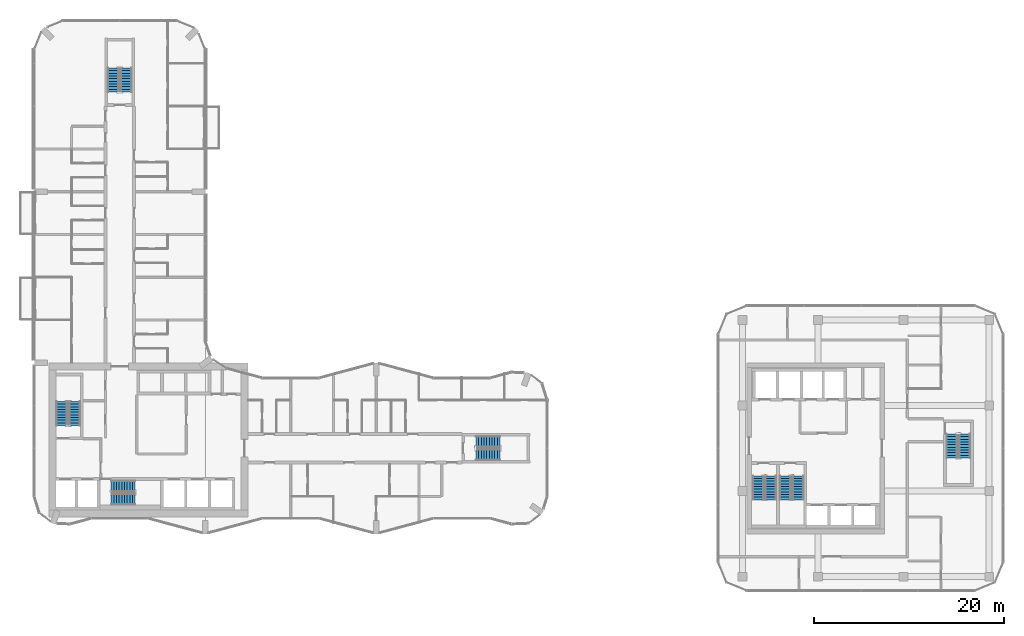
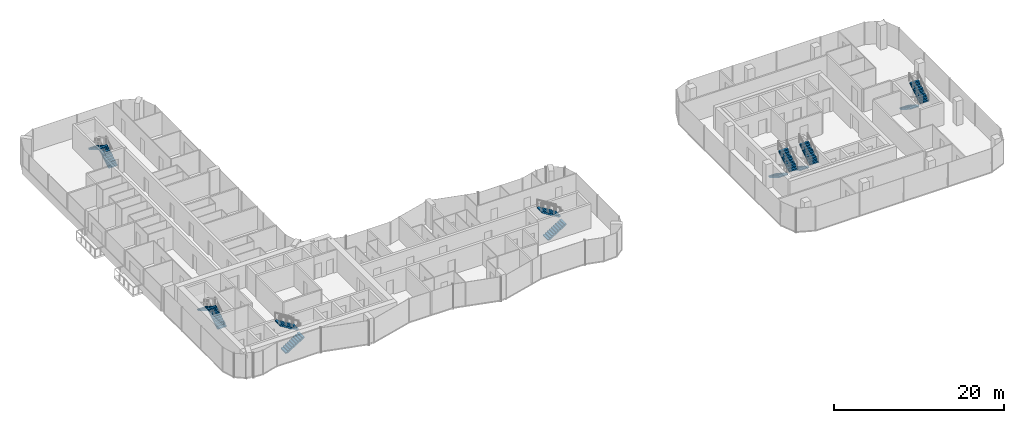
# One storey, part 21 of 24: 14 stair flights, 7 elements without a shape of their own.
"""IFC4 building model written with IfcOpenShell, lengths in metres."""

from ifc_helpers import new_model, si_unit, direction, frame, origin, place, context, subcontext, project, spatial, polyline, outline, extrude, material, type_object, element, aggregate, save


model = new_model("IFC4")

# Units and contexts
model_context = context("Model", 3, precision=1e-05, world=origin(), true_north=direction((0.0, 1.0)))
body_context = subcontext(model_context, "Body", "Model", "MODEL_VIEW")
ifc_project = project(units=[si_unit("LENGTHUNIT", "METRE"), si_unit("AREAUNIT", "SQUARE_METRE"), si_unit("VOLUMEUNIT", "CUBIC_METRE"), si_unit("PLANEANGLEUNIT", "RADIAN"), si_unit("MASSUNIT", "GRAM", prefix="KILO")], contexts=[model_context])

# Site, building, storey
site_placement = place(None, origin())
site = spatial("IfcSite", under=ifc_project, at=site_placement, CompositionType="ELEMENT")
building_placement = place(site_placement, origin())
building = spatial("IfcBuilding", under=site, at=building_placement, Name="Plateau Cross Towers", CompositionType="ELEMENT")
storey_placement = place(building_placement, frame((0.0, 0.0, 47.800048828125)))
storey = spatial("IfcBuildingStorey", under=building, at=storey_placement, Name="L11", CompositionType="ELEMENT", Elevation=47.800048828125)

# Stair, stair flights
ifc_material = material(Name="Concrete C40/50", Category="concrete")
stair_type = type_object("IfcStairType", Name="ST-TWR", PredefinedType="HALF_TURN_STAIR", material=ifc_material)
stair_1_placement = place(storey_placement, origin())
stair_1 = element("IfcStair", 1, at=stair_1_placement, inside=storey, type_object=stair_type, Name="L11 Protected Exit Stair ST-1", PredefinedType="HALF_TURN_STAIR")
stair_flight_type = type_object("IfcStairFlightType", Name="SFL-RC", PredefinedType="STRAIGHT", material=ifc_material)
stair_flight_1_placement = place(storey_placement, frame((4.25, 11.39990234375, 0.0), z_axis=(0.0, 0.0, 1.0), x_axis=(0.0, 1.0, 0.0)))
stair_flight_1 = element("IfcStairFlight", 2, at=stair_flight_1_placement, type_object=stair_flight_type, Name="ST-1 flight 1", NumberOfRisers=10, NumberOfTreads=9, PredefinedType="STRAIGHT", RiserHeight=0.175, TreadLength=0.28, context=body_context, shape_type="SweptSolid", body=[
    extrude(outline(polyline([(-0.0048828125, -0.010009765625), (-0.0048828125, 0.0), (0.0, 0.0), (0.0, 0.175048828125), (0.280029296875, 0.175048828125), (0.280029296875, 0.35009765625), (0.56005859375, 0.35009765625), (0.56005859375, 0.52490234375), (0.840087890625, 0.52490234375), (0.840087890625, 0.699951171875), (1.1201171875, 0.699951171875), (1.1201171875, 0.875), (1.39990234375, 0.875), (1.39990234375, 1.050048828125), (1.679931640625, 1.050048828125), (1.679931640625, 1.22509765625), (1.9599609375, 1.22509765625), (1.9599609375, 1.39990234375), (2.239990234375, 1.39990234375), (2.239990234375, 1.574951171875), (2.52001953125, 1.574951171875), (2.52490234375, 1.56494140625), (2.52490234375, 1.398193359375), (2.52001953125, 1.398193359375), (0.28271484375, 0.0), (0.02001953125, 0.0), (0.02001953125, -0.010009765625), (-0.0048828125, -0.010009765625)])), frame((0.0, 0.60009765625, 0.0), z_axis=(0.0, -1.0, 0.0), x_axis=(1.0, 0.0, 0.0)), (0.0, 0.0, 1.0), 1.199951171875),
])
stair_flight_2_placement = place(storey_placement, frame((2.89990234375, 13.919921875, 1.75), z_axis=(0.0, 0.0, 1.0), x_axis=(0.0, -1.0, 0.0)))
stair_flight_2 = element("IfcStairFlight", 3, at=stair_flight_2_placement, type_object=stair_flight_type, Name="ST-1 flight 2", NumberOfRisers=10, NumberOfTreads=9, PredefinedType="STRAIGHT", RiserHeight=0.175, TreadLength=0.28, context=body_context, shape_type="SweptSolid", body=[
    extrude(outline(polyline([(-0.0048828125, -0.010009765625), (-0.0048828125, 0.0), (0.0, 0.0), (0.0, 0.175048828125), (0.280029296875, 0.175048828125), (0.280029296875, 0.35009765625), (0.56005859375, 0.35009765625), (0.56005859375, 0.52490234375), (0.840087890625, 0.52490234375), (0.840087890625, 0.699951171875), (1.1201171875, 0.699951171875), (1.1201171875, 0.875), (1.39990234375, 0.875), (1.39990234375, 1.050048828125), (1.679931640625, 1.050048828125), (1.679931640625, 1.22509765625), (1.9599609375, 1.22509765625), (1.9599609375, 1.39990234375), (2.239990234375, 1.39990234375), (2.239990234375, 1.574951171875), (2.52001953125, 1.574951171875), (2.52490234375, 1.56494140625), (2.52490234375, 1.398193359375), (2.52001953125, 1.398193359375), (0.28271484375, 0.0), (0.02001953125, 0.0), (0.02001953125, -0.010009765625), (-0.0048828125, -0.010009765625)])), frame((0.0, 0.60009765625, 0.0), z_axis=(0.0, -1.0, 0.0), x_axis=(1.0, 0.0, 0.0)), (0.0, 0.0, 1.0), 1.199951171875),
])
aggregate(stair_1, [stair_flight_1, stair_flight_2])

stair_2_placement = place(storey_placement, origin())
stair_2 = element("IfcStair", 4, at=stair_2_placement, inside=storey, type_object=stair_type, Name="L11 Protected Exit Stair ST-2", PredefinedType="HALF_TURN_STAIR")
stair_flight_3_placement = place(storey_placement, frame((8.10009765625, 3.64990234375, 0.0), z_axis=(0.0, 0.0, 1.0), x_axis=(1.0, 0.0, 0.0)))
stair_flight_3 = element("IfcStairFlight", 5, at=stair_flight_3_placement, type_object=stair_flight_type, Name="ST-2 flight 1", NumberOfRisers=10, NumberOfTreads=9, PredefinedType="STRAIGHT", RiserHeight=0.175, TreadLength=0.28, context=body_context, shape_type="SweptSolid", body=[
    extrude(outline(polyline([(-0.0048828125, -0.010009765625), (-0.0048828125, 0.0), (0.0, 0.0), (0.0, 0.175048828125), (0.280029296875, 0.175048828125), (0.280029296875, 0.35009765625), (0.56005859375, 0.35009765625), (0.56005859375, 0.52490234375), (0.840087890625, 0.52490234375), (0.840087890625, 0.699951171875), (1.1201171875, 0.699951171875), (1.1201171875, 0.875), (1.39990234375, 0.875), (1.39990234375, 1.050048828125), (1.679931640625, 1.050048828125), (1.679931640625, 1.22509765625), (1.9599609375, 1.22509765625), (1.9599609375, 1.39990234375), (2.239990234375, 1.39990234375), (2.239990234375, 1.574951171875), (2.52001953125, 1.574951171875), (2.52490234375, 1.56494140625), (2.52490234375, 1.398193359375), (2.52001953125, 1.398193359375), (0.28271484375, 0.0), (0.02001953125, 0.0), (0.02001953125, -0.010009765625), (-0.0048828125, -0.010009765625)])), frame((0.0, 0.60009765625, 0.0), z_axis=(0.0, -1.0, 0.0), x_axis=(1.0, 0.0, 0.0)), (0.0, 0.0, 1.0), 1.199951171875),
])
stair_flight_4_placement = place(storey_placement, frame((10.6201171875, 5.0, 1.75), z_axis=(0.0, 0.0, 1.0), x_axis=(-1.0, 0.0, 0.0)))
stair_flight_4 = element("IfcStairFlight", 6, at=stair_flight_4_placement, type_object=stair_flight_type, Name="ST-2 flight 2", NumberOfRisers=10, NumberOfTreads=9, PredefinedType="STRAIGHT", RiserHeight=0.175, TreadLength=0.28, context=body_context, shape_type="SweptSolid", body=[
    extrude(outline(polyline([(-0.0048828125, -0.010009765625), (-0.0048828125, 0.0), (0.0, 0.0), (0.0, 0.175048828125), (0.280029296875, 0.175048828125), (0.280029296875, 0.35009765625), (0.56005859375, 0.35009765625), (0.56005859375, 0.52490234375), (0.840087890625, 0.52490234375), (0.840087890625, 0.699951171875), (1.1201171875, 0.699951171875), (1.1201171875, 0.875), (1.39990234375, 0.875), (1.39990234375, 1.050048828125), (1.679931640625, 1.050048828125), (1.679931640625, 1.22509765625), (1.9599609375, 1.22509765625), (1.9599609375, 1.39990234375), (2.239990234375, 1.39990234375), (2.239990234375, 1.574951171875), (2.52001953125, 1.574951171875), (2.52490234375, 1.56494140625), (2.52490234375, 1.398193359375), (2.52001953125, 1.398193359375), (0.28271484375, 0.0), (0.02001953125, 0.0), (0.02001953125, -0.010009765625), (-0.0048828125, -0.010009765625)])), frame((0.0, 0.60009765625, 0.0), z_axis=(0.0, -1.0, 0.0), x_axis=(1.0, 0.0, 0.0)), (0.0, 0.0, 1.0), 1.199951171875),
])
aggregate(stair_2, [stair_flight_3, stair_flight_4])

stair_3_placement = place(storey_placement, origin())
stair_3 = element("IfcStair", 7, at=stair_3_placement, inside=storey, type_object=stair_type, Name="L11 Protected Exit Stair SB-1", PredefinedType="HALF_TURN_STAIR")
stair_flight_5_placement = place(storey_placement, frame((76.199951171875, 6.10009765625, 0.0), z_axis=(0.0, 0.0, 1.0), x_axis=(0.0, -1.0, 0.0)))
stair_flight_5 = element("IfcStairFlight", 8, at=stair_flight_5_placement, type_object=stair_flight_type, Name="SB-1 flight 1", NumberOfRisers=10, NumberOfTreads=9, PredefinedType="STRAIGHT", RiserHeight=0.175, TreadLength=0.28, context=body_context, shape_type="SweptSolid", body=[
    extrude(outline(polyline([(-0.0048828125, -0.010009765625), (-0.0048828125, 0.0), (0.0, 0.0), (0.0, 0.175048828125), (0.280029296875, 0.175048828125), (0.280029296875, 0.35009765625), (0.56005859375, 0.35009765625), (0.56005859375, 0.52490234375), (0.840087890625, 0.52490234375), (0.840087890625, 0.699951171875), (1.1201171875, 0.699951171875), (1.1201171875, 0.875), (1.39990234375, 0.875), (1.39990234375, 1.050048828125), (1.679931640625, 1.050048828125), (1.679931640625, 1.22509765625), (1.9599609375, 1.22509765625), (1.9599609375, 1.39990234375), (2.239990234375, 1.39990234375), (2.239990234375, 1.574951171875), (2.52001953125, 1.574951171875), (2.52490234375, 1.56494140625), (2.52490234375, 1.398193359375), (2.52001953125, 1.398193359375), (0.28271484375, 0.0), (0.02001953125, 0.0), (0.02001953125, -0.010009765625), (-0.0048828125, -0.010009765625)])), frame((0.0, 0.60009765625, 0.0), z_axis=(0.0, -1.0, 0.0), x_axis=(1.0, 0.0, 0.0)), (0.0, 0.0, 1.0), 1.199951171875),
])
stair_flight_6_placement = place(storey_placement, frame((77.550048828125, 3.580078125, 1.75), z_axis=(0.0, 0.0, 1.0), x_axis=(0.0, 1.0, 0.0)))
stair_flight_6 = element("IfcStairFlight", 9, at=stair_flight_6_placement, type_object=stair_flight_type, Name="SB-1 flight 2", NumberOfRisers=10, NumberOfTreads=9, PredefinedType="STRAIGHT", RiserHeight=0.175, TreadLength=0.28, context=body_context, shape_type="SweptSolid", body=[
    extrude(outline(polyline([(-0.0048828125, -0.010009765625), (-0.0048828125, 0.0), (0.0, 0.0), (0.0, 0.175048828125), (0.280029296875, 0.175048828125), (0.280029296875, 0.35009765625), (0.56005859375, 0.35009765625), (0.56005859375, 0.52490234375), (0.840087890625, 0.52490234375), (0.840087890625, 0.699951171875), (1.1201171875, 0.699951171875), (1.1201171875, 0.875), (1.39990234375, 0.875), (1.39990234375, 1.050048828125), (1.679931640625, 1.050048828125), (1.679931640625, 1.22509765625), (1.9599609375, 1.22509765625), (1.9599609375, 1.39990234375), (2.239990234375, 1.39990234375), (2.239990234375, 1.574951171875), (2.52001953125, 1.574951171875), (2.52490234375, 1.56494140625), (2.52490234375, 1.398193359375), (2.52001953125, 1.398193359375), (0.28271484375, 0.0), (0.02001953125, 0.0), (0.02001953125, -0.010009765625), (-0.0048828125, -0.010009765625)])), frame((0.0, 0.60009765625, 0.0), z_axis=(0.0, -1.0, 0.0), x_axis=(1.0, 0.0, 0.0)), (0.0, 0.0, 1.0), 1.199951171875),
])
aggregate(stair_3, [stair_flight_5, stair_flight_6])

stair_4_placement = place(storey_placement, origin())
stair_4 = element("IfcStair", 10, at=stair_4_placement, inside=storey, type_object=stair_type, Name="L11 Protected Exit Stair SB-2", PredefinedType="HALF_TURN_STAIR")
stair_flight_7_placement = place(storey_placement, frame((79.050048828125, 6.10009765625, 0.0), z_axis=(0.0, 0.0, 1.0), x_axis=(0.0, -1.0, 0.0)))
stair_flight_7 = element("IfcStairFlight", 11, at=stair_flight_7_placement, type_object=stair_flight_type, Name="SB-2 flight 1", NumberOfRisers=10, NumberOfTreads=9, PredefinedType="STRAIGHT", RiserHeight=0.175, TreadLength=0.28, context=body_context, shape_type="SweptSolid", body=[
    extrude(outline(polyline([(-0.0048828125, -0.010009765625), (-0.0048828125, 0.0), (0.0, 0.0), (0.0, 0.175048828125), (0.280029296875, 0.175048828125), (0.280029296875, 0.35009765625), (0.56005859375, 0.35009765625), (0.56005859375, 0.52490234375), (0.840087890625, 0.52490234375), (0.840087890625, 0.699951171875), (1.1201171875, 0.699951171875), (1.1201171875, 0.875), (1.39990234375, 0.875), (1.39990234375, 1.050048828125), (1.679931640625, 1.050048828125), (1.679931640625, 1.22509765625), (1.9599609375, 1.22509765625), (1.9599609375, 1.39990234375), (2.239990234375, 1.39990234375), (2.239990234375, 1.574951171875), (2.52001953125, 1.574951171875), (2.52490234375, 1.56494140625), (2.52490234375, 1.398193359375), (2.52001953125, 1.398193359375), (0.28271484375, 0.0), (0.02001953125, 0.0), (0.02001953125, -0.010009765625), (-0.0048828125, -0.010009765625)])), frame((0.0, 0.60009765625, 0.0), z_axis=(0.0, -1.0, 0.0), x_axis=(1.0, 0.0, 0.0)), (0.0, 0.0, 1.0), 1.199951171875),
])
stair_flight_8_placement = place(storey_placement, frame((80.39990234375, 3.580078125, 1.75), z_axis=(0.0, 0.0, 1.0), x_axis=(0.0, 1.0, 0.0)))
stair_flight_8 = element("IfcStairFlight", 12, at=stair_flight_8_placement, type_object=stair_flight_type, Name="SB-2 flight 2", NumberOfRisers=10, NumberOfTreads=9, PredefinedType="STRAIGHT", RiserHeight=0.175, TreadLength=0.28, context=body_context, shape_type="SweptSolid", body=[
    extrude(outline(polyline([(-0.0048828125, -0.010009765625), (-0.0048828125, 0.0), (0.0, 0.0), (0.0, 0.175048828125), (0.280029296875, 0.175048828125), (0.280029296875, 0.35009765625), (0.56005859375, 0.35009765625), (0.56005859375, 0.52490234375), (0.840087890625, 0.52490234375), (0.840087890625, 0.699951171875), (1.1201171875, 0.699951171875), (1.1201171875, 0.875), (1.39990234375, 0.875), (1.39990234375, 1.050048828125), (1.679931640625, 1.050048828125), (1.679931640625, 1.22509765625), (1.9599609375, 1.22509765625), (1.9599609375, 1.39990234375), (2.239990234375, 1.39990234375), (2.239990234375, 1.574951171875), (2.52001953125, 1.574951171875), (2.52490234375, 1.56494140625), (2.52490234375, 1.398193359375), (2.52001953125, 1.398193359375), (0.28271484375, 0.0), (0.02001953125, 0.0), (0.02001953125, -0.010009765625), (-0.0048828125, -0.010009765625)])), frame((0.0, 0.60009765625, 0.0), z_axis=(0.0, -1.0, 0.0), x_axis=(1.0, 0.0, 0.0)), (0.0, 0.0, 1.0), 1.199951171875),
])
aggregate(stair_4, [stair_flight_7, stair_flight_8])

stair_5_placement = place(storey_placement, origin())
stair_5 = element("IfcStair", 13, at=stair_5_placement, inside=storey, type_object=stair_type, Name="L11 Protected Exit Stair SB-3", PredefinedType="HALF_TURN_STAIR")
stair_flight_9_placement = place(storey_placement, frame((96.60009765625, 10.5, 0.0), z_axis=(0.0, 0.0, 1.0), x_axis=(0.0, -1.0, 0.0)))
stair_flight_9 = element("IfcStairFlight", 14, at=stair_flight_9_placement, type_object=stair_flight_type, Name="SB-3 flight 1", NumberOfRisers=10, NumberOfTreads=9, PredefinedType="STRAIGHT", RiserHeight=0.175, TreadLength=0.28, context=body_context, shape_type="SweptSolid", body=[
    extrude(outline(polyline([(-0.0048828125, -0.010009765625), (-0.0048828125, 0.0), (0.0, 0.0), (0.0, 0.175048828125), (0.280029296875, 0.175048828125), (0.280029296875, 0.35009765625), (0.56005859375, 0.35009765625), (0.56005859375, 0.52490234375), (0.840087890625, 0.52490234375), (0.840087890625, 0.699951171875), (1.1201171875, 0.699951171875), (1.1201171875, 0.875), (1.39990234375, 0.875), (1.39990234375, 1.050048828125), (1.679931640625, 1.050048828125), (1.679931640625, 1.22509765625), (1.9599609375, 1.22509765625), (1.9599609375, 1.39990234375), (2.239990234375, 1.39990234375), (2.239990234375, 1.574951171875), (2.52001953125, 1.574951171875), (2.52490234375, 1.56494140625), (2.52490234375, 1.398193359375), (2.52001953125, 1.398193359375), (0.28271484375, 0.0), (0.02001953125, 0.0), (0.02001953125, -0.010009765625), (-0.0048828125, -0.010009765625)])), frame((0.0, 0.60009765625, 0.0), z_axis=(0.0, -1.0, 0.0), x_axis=(1.0, 0.0, 0.0)), (0.0, 0.0, 1.0), 1.199951171875),
])
stair_flight_10_placement = place(storey_placement, frame((97.949951171875, 7.97998046875, 1.75), z_axis=(0.0, 0.0, 1.0), x_axis=(0.0, 1.0, 0.0)))
stair_flight_10 = element("IfcStairFlight", 15, at=stair_flight_10_placement, type_object=stair_flight_type, Name="SB-3 flight 2", NumberOfRisers=10, NumberOfTreads=9, PredefinedType="STRAIGHT", RiserHeight=0.175, TreadLength=0.28, context=body_context, shape_type="SweptSolid", body=[
    extrude(outline(polyline([(-0.0048828125, -0.010009765625), (-0.0048828125, 0.0), (0.0, 0.0), (0.0, 0.175048828125), (0.280029296875, 0.175048828125), (0.280029296875, 0.35009765625), (0.56005859375, 0.35009765625), (0.56005859375, 0.52490234375), (0.840087890625, 0.52490234375), (0.840087890625, 0.699951171875), (1.1201171875, 0.699951171875), (1.1201171875, 0.875), (1.39990234375, 0.875), (1.39990234375, 1.050048828125), (1.679931640625, 1.050048828125), (1.679931640625, 1.22509765625), (1.9599609375, 1.22509765625), (1.9599609375, 1.39990234375), (2.239990234375, 1.39990234375), (2.239990234375, 1.574951171875), (2.52001953125, 1.574951171875), (2.52490234375, 1.56494140625), (2.52490234375, 1.398193359375), (2.52001953125, 1.398193359375), (0.28271484375, 0.0), (0.02001953125, 0.0), (0.02001953125, -0.010009765625), (-0.0048828125, -0.010009765625)])), frame((0.0, 0.60009765625, 0.0), z_axis=(0.0, -1.0, 0.0), x_axis=(1.0, 0.0, 0.0)), (0.0, 0.0, 1.0), 1.199951171875),
])
aggregate(stair_5, [stair_flight_9, stair_flight_10])

stair_6_placement = place(storey_placement, origin())
stair_6 = element("IfcStair", 16, at=stair_6_placement, inside=storey, type_object=stair_type, Name="L11 Protected Exit Stair E", PredefinedType="HALF_TURN_STAIR")
stair_flight_11_placement = place(storey_placement, frame((46.5, 8.324951171875, 0.0), z_axis=(0.0, 0.0, 1.0), x_axis=(1.0, 0.0, 0.0)))
stair_flight_11 = element("IfcStairFlight", 17, at=stair_flight_11_placement, type_object=stair_flight_type, Name="ES-E flight 1", NumberOfRisers=10, NumberOfTreads=9, PredefinedType="STRAIGHT", RiserHeight=0.175, TreadLength=0.28, context=body_context, shape_type="SweptSolid", body=[
    extrude(outline(polyline([(-0.0048828125, -0.010009765625), (-0.0048828125, 0.0), (0.0, 0.0), (0.0, 0.175048828125), (0.280029296875, 0.175048828125), (0.280029296875, 0.35009765625), (0.56005859375, 0.35009765625), (0.56005859375, 0.52490234375), (0.840087890625, 0.52490234375), (0.840087890625, 0.699951171875), (1.1201171875, 0.699951171875), (1.1201171875, 0.875), (1.39990234375, 0.875), (1.39990234375, 1.050048828125), (1.679931640625, 1.050048828125), (1.679931640625, 1.22509765625), (1.9599609375, 1.22509765625), (1.9599609375, 1.39990234375), (2.239990234375, 1.39990234375), (2.239990234375, 1.574951171875), (2.52001953125, 1.574951171875), (2.52490234375, 1.56494140625), (2.52490234375, 1.398193359375), (2.52001953125, 1.398193359375), (0.28271484375, 0.0), (0.02001953125, 0.0), (0.02001953125, -0.010009765625), (-0.0048828125, -0.010009765625)])), frame((0.0, 0.60009765625, 0.0), z_axis=(0.0, -1.0, 0.0), x_axis=(1.0, 0.0, 0.0)), (0.0, 0.0, 1.0), 1.199951171875),
])
stair_flight_12_placement = place(storey_placement, frame((49.02001953125, 9.675048828125, 1.75), z_axis=(0.0, 0.0, 1.0), x_axis=(-1.0, 0.0, 0.0)))
stair_flight_12 = element("IfcStairFlight", 18, at=stair_flight_12_placement, type_object=stair_flight_type, Name="ES-E flight 2", NumberOfRisers=10, NumberOfTreads=9, PredefinedType="STRAIGHT", RiserHeight=0.175, TreadLength=0.28, context=body_context, shape_type="SweptSolid", body=[
    extrude(outline(polyline([(-0.0048828125, -0.010009765625), (-0.0048828125, 0.0), (0.0, 0.0), (0.0, 0.175048828125), (0.280029296875, 0.175048828125), (0.280029296875, 0.35009765625), (0.56005859375, 0.35009765625), (0.56005859375, 0.52490234375), (0.840087890625, 0.52490234375), (0.840087890625, 0.699951171875), (1.1201171875, 0.699951171875), (1.1201171875, 0.875), (1.39990234375, 0.875), (1.39990234375, 1.050048828125), (1.679931640625, 1.050048828125), (1.679931640625, 1.22509765625), (1.9599609375, 1.22509765625), (1.9599609375, 1.39990234375), (2.239990234375, 1.39990234375), (2.239990234375, 1.574951171875), (2.52001953125, 1.574951171875), (2.52490234375, 1.56494140625), (2.52490234375, 1.398193359375), (2.52001953125, 1.398193359375), (0.28271484375, 0.0), (0.02001953125, 0.0), (0.02001953125, -0.010009765625), (-0.0048828125, -0.010009765625)])), frame((0.0, 0.60009765625, 0.0), z_axis=(0.0, -1.0, 0.0), x_axis=(1.0, 0.0, 0.0)), (0.0, 0.0, 1.0), 1.199951171875),
])
aggregate(stair_6, [stair_flight_11, stair_flight_12])

stair_7_placement = place(storey_placement, origin())
stair_7 = element("IfcStair", 19, at=stair_7_placement, inside=storey, type_object=stair_type, Name="L11 Protected Exit Stair N", PredefinedType="HALF_TURN_STAIR")
stair_flight_13_placement = place(storey_placement, frame((9.675048828125, 46.5, 0.0), z_axis=(0.0, 0.0, 1.0), x_axis=(0.0, 1.0, 0.0)))
stair_flight_13 = element("IfcStairFlight", 20, at=stair_flight_13_placement, type_object=stair_flight_type, Name="ES-N flight 1", NumberOfRisers=10, NumberOfTreads=9, PredefinedType="STRAIGHT", RiserHeight=0.175, TreadLength=0.28, context=body_context, shape_type="SweptSolid", body=[
    extrude(outline(polyline([(-0.0048828125, -0.010009765625), (-0.0048828125, 0.0), (0.0, 0.0), (0.0, 0.175048828125), (0.280029296875, 0.175048828125), (0.280029296875, 0.35009765625), (0.56005859375, 0.35009765625), (0.56005859375, 0.52490234375), (0.840087890625, 0.52490234375), (0.840087890625, 0.699951171875), (1.1201171875, 0.699951171875), (1.1201171875, 0.875), (1.39990234375, 0.875), (1.39990234375, 1.050048828125), (1.679931640625, 1.050048828125), (1.679931640625, 1.22509765625), (1.9599609375, 1.22509765625), (1.9599609375, 1.39990234375), (2.239990234375, 1.39990234375), (2.239990234375, 1.574951171875), (2.52001953125, 1.574951171875), (2.52490234375, 1.56494140625), (2.52490234375, 1.398193359375), (2.52001953125, 1.398193359375), (0.28271484375, 0.0), (0.02001953125, 0.0), (0.02001953125, -0.010009765625), (-0.0048828125, -0.010009765625)])), frame((0.0, 0.60009765625, 0.0), z_axis=(0.0, -1.0, 0.0), x_axis=(1.0, 0.0, 0.0)), (0.0, 0.0, 1.0), 1.199951171875),
])
stair_flight_14_placement = place(storey_placement, frame((8.324951171875, 49.02001953125, 1.75), z_axis=(0.0, 0.0, 1.0), x_axis=(0.0, -1.0, 0.0)))
stair_flight_14 = element("IfcStairFlight", 21, at=stair_flight_14_placement, type_object=stair_flight_type, Name="ES-N flight 2", NumberOfRisers=10, NumberOfTreads=9, PredefinedType="STRAIGHT", RiserHeight=0.175, TreadLength=0.28, context=body_context, shape_type="SweptSolid", body=[
    extrude(outline(polyline([(-0.0048828125, -0.010009765625), (-0.0048828125, 0.0), (0.0, 0.0), (0.0, 0.175048828125), (0.280029296875, 0.175048828125), (0.280029296875, 0.35009765625), (0.56005859375, 0.35009765625), (0.56005859375, 0.52490234375), (0.840087890625, 0.52490234375), (0.840087890625, 0.699951171875), (1.1201171875, 0.699951171875), (1.1201171875, 0.875), (1.39990234375, 0.875), (1.39990234375, 1.050048828125), (1.679931640625, 1.050048828125), (1.679931640625, 1.22509765625), (1.9599609375, 1.22509765625), (1.9599609375, 1.39990234375), (2.239990234375, 1.39990234375), (2.239990234375, 1.574951171875), (2.52001953125, 1.574951171875), (2.52490234375, 1.56494140625), (2.52490234375, 1.398193359375), (2.52001953125, 1.398193359375), (0.28271484375, 0.0), (0.02001953125, 0.0), (0.02001953125, -0.010009765625), (-0.0048828125, -0.010009765625)])), frame((0.0, 0.60009765625, 0.0), z_axis=(0.0, -1.0, 0.0), x_axis=(1.0, 0.0, 0.0)), (0.0, 0.0, 1.0), 1.199951171875),
])
aggregate(stair_7, [stair_flight_13, stair_flight_14])

save(model, "model.ifc")
